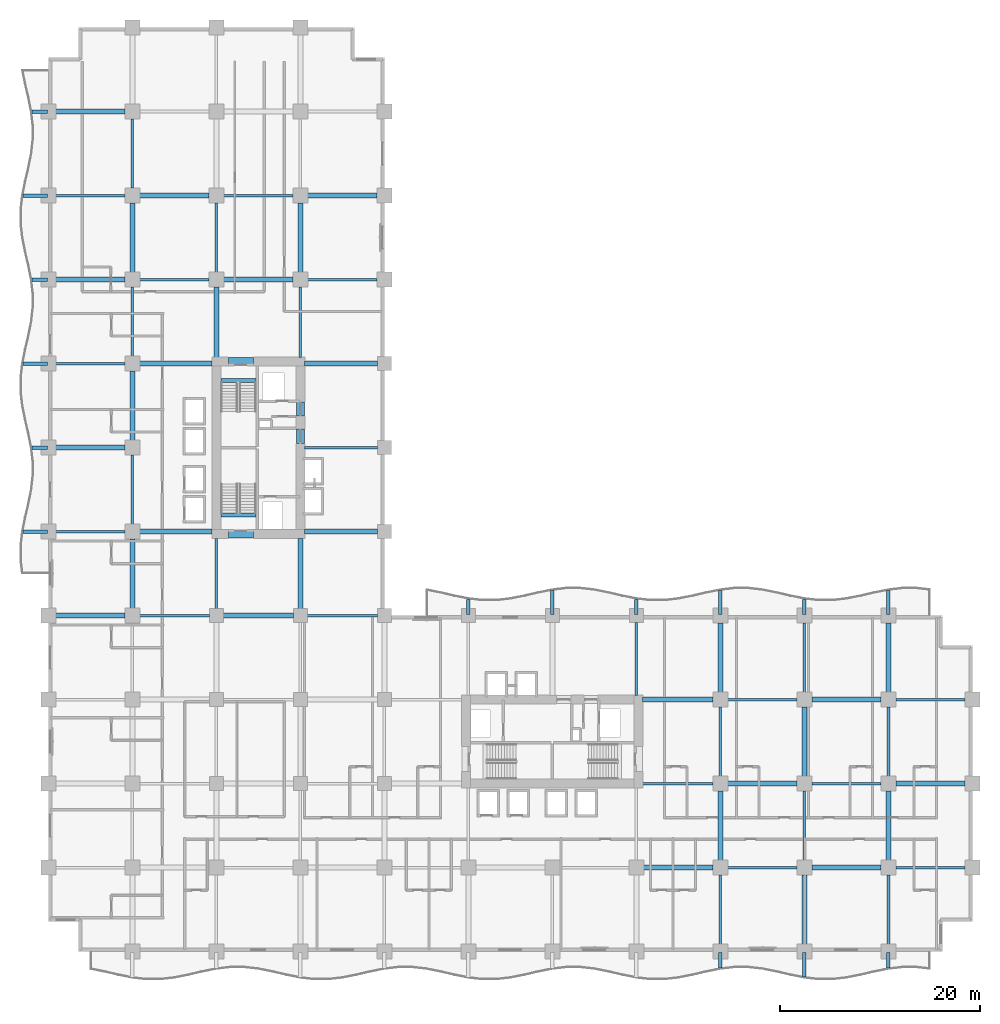
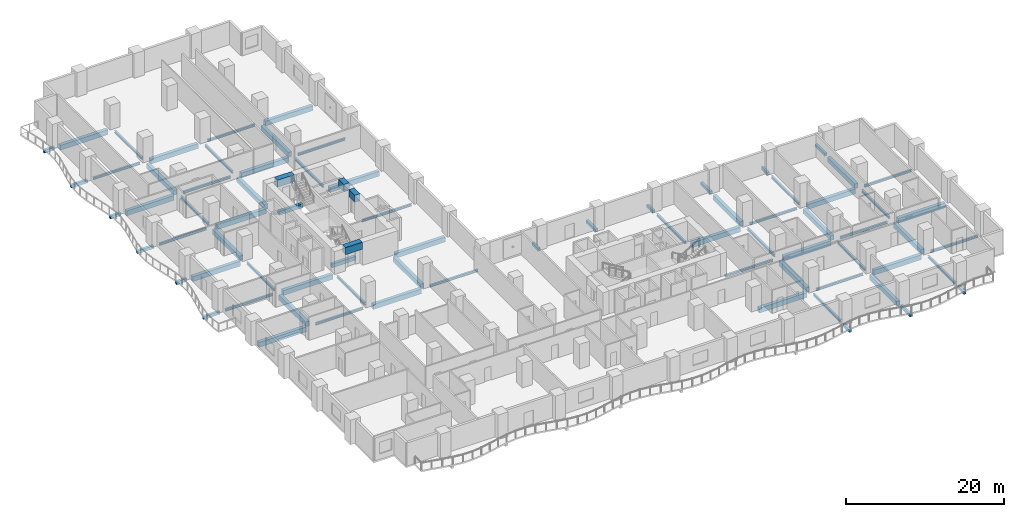
# One storey, part 2 of 22: 79 beams.
"""IFC4 building model written with IfcOpenShell, lengths in metres."""

from ifc_helpers import new_model, si_unit, direction, frame, origin, origin_2d, place, context, subcontext, project, spatial, rectangle, i_section, extrude, material, material_profile, profile_set, type_object, element, save


model = new_model("IFC4")

# Units and contexts
model_context = context("Model", 3, precision=1e-05, world=origin(), true_north=direction((0.0, 1.0)))
body_context = subcontext(model_context, "Body", "Model", "MODEL_VIEW")
ifc_project = project(units=[si_unit("LENGTHUNIT", "METRE"), si_unit("AREAUNIT", "SQUARE_METRE"), si_unit("VOLUMEUNIT", "CUBIC_METRE"), si_unit("PLANEANGLEUNIT", "RADIAN"), si_unit("MASSUNIT", "GRAM", prefix="KILO")], contexts=[model_context])

# Site, building, storey
site_placement = place(None, origin())
site = spatial("IfcSite", under=ifc_project, at=site_placement, CompositionType="ELEMENT")
building_placement = place(site_placement, origin())
building = spatial("IfcBuilding", under=site, at=building_placement, Name="Koriwani Terraces Tower", CompositionType="ELEMENT")
storey_placement = place(building_placement, frame((0.0, 0.0, 43.39990234375)))
storey = spatial("IfcBuildingStorey", under=building, at=storey_placement, Name="L09", CompositionType="ELEMENT", Elevation=43.39990234375)

# Beams
ifc_material_1 = material(Name="Concrete C40/50", Category="concrete")
ifc_material_profile_1 = material_profile(ifc_material_1, rectangle(XDim=0.35009765625, YDim=0.449951171875, at=origin_2d()), Name="Concrete C40/50", Category="LoadBearing")
ifc_profile_set_1 = profile_set([ifc_material_profile_1], Name="Concrete C40/50")
beam_type_1 = type_object("IfcBeamType", Name="BEAM_RC_BALCONY_RIB_350X450", PredefinedType="JOIST", material=ifc_profile_set_1)
beam_1_placement = place(storey_placement, frame((67.199951171875, -1.633056640625, -0.474853515625), z_axis=(0.0, 1.0, 0.0), x_axis=(-1.0, 0.0, 0.0)))
element("IfcBeam", 1, at=beam_1_placement, inside=storey, type_object=beam_type_1, Name="L09 Balcony Bracket Rib S-8", PredefinedType="JOIST", context=body_context, shape_type="SweptSolid", body=[
    extrude(rectangle(XDim=0.35009765625, YDim=0.449951171875, at=origin_2d()), origin(), (0.0, 0.0, 1.0), 1.532958984375),
])
beam_2_placement = place(storey_placement, frame((75.60009765625, -2.516845703125, -0.474853515625), z_axis=(0.0, 1.0, 0.0), x_axis=(-1.0, 0.0, 0.0)))
element("IfcBeam", 2, at=beam_2_placement, inside=storey, type_object=beam_type_1, Name="L09 Balcony Bracket Rib S-9", PredefinedType="JOIST", context=body_context, shape_type="SweptSolid", body=[
    extrude(rectangle(XDim=0.35009765625, YDim=0.449951171875, at=origin_2d()), origin(), (0.0, 0.0, 1.0), 2.416748046875),
])
beam_3_placement = place(storey_placement, frame((84.0, -1.633056640625, -0.474853515625), z_axis=(0.0, 1.0, 0.0), x_axis=(-1.0, 0.0, 0.0)))
element("IfcBeam", 3, at=beam_3_placement, inside=storey, type_object=beam_type_1, Name="L09 Balcony Bracket Rib S-10", PredefinedType="JOIST", context=body_context, shape_type="SweptSolid", body=[
    extrude(rectangle(XDim=0.35009765625, YDim=0.449951171875, at=origin_2d()), origin(), (0.0, 0.0, 1.0), 1.532958984375),
])
beam_4_placement = place(storey_placement, frame((-2.516845703125, 42.0, -0.474853515625), z_axis=(1.0, 0.0, 0.0), x_axis=(0.0, 1.0, 0.0)))
element("IfcBeam", 4, at=beam_4_placement, inside=storey, type_object=beam_type_1, Name="L09 Balcony Bracket Rib W-1", PredefinedType="JOIST", context=body_context, shape_type="SweptSolid", body=[
    extrude(rectangle(XDim=0.35009765625, YDim=0.449951171875, at=origin_2d()), origin(), (0.0, 0.0, 1.0), 2.416748046875),
])
beam_5_placement = place(storey_placement, frame((-1.633056640625, 50.39990234375, -0.474853515625), z_axis=(1.0, 0.0, 0.0), x_axis=(0.0, 1.0, 0.0)))
element("IfcBeam", 5, at=beam_5_placement, inside=storey, type_object=beam_type_1, Name="L09 Balcony Bracket Rib W-2", PredefinedType="JOIST", context=body_context, shape_type="SweptSolid", body=[
    extrude(rectangle(XDim=0.35009765625, YDim=0.449951171875, at=origin_2d()), origin(), (0.0, 0.0, 1.0), 1.532958984375),
])
beam_6_placement = place(storey_placement, frame((-2.516845703125, 58.800048828125, -0.474853515625), z_axis=(1.0, 0.0, 0.0), x_axis=(0.0, 1.0, 0.0)))
element("IfcBeam", 6, at=beam_6_placement, inside=storey, type_object=beam_type_1, Name="L09 Balcony Bracket Rib W-3", PredefinedType="JOIST", context=body_context, shape_type="SweptSolid", body=[
    extrude(rectangle(XDim=0.35009765625, YDim=0.449951171875, at=origin_2d()), origin(), (0.0, 0.0, 1.0), 2.416748046875),
])
beam_7_placement = place(storey_placement, frame((-1.633056640625, 67.199951171875, -0.474853515625), z_axis=(1.0, 0.0, 0.0), x_axis=(0.0, 1.0, 0.0)))
element("IfcBeam", 7, at=beam_7_placement, inside=storey, type_object=beam_type_1, Name="L09 Balcony Bracket Rib W-4", PredefinedType="JOIST", context=body_context, shape_type="SweptSolid", body=[
    extrude(rectangle(XDim=0.35009765625, YDim=0.449951171875, at=origin_2d()), origin(), (0.0, 0.0, 1.0), 1.532958984375),
])
beam_8_placement = place(storey_placement, frame((-2.516845703125, 75.60009765625, -0.474853515625), z_axis=(1.0, 0.0, 0.0), x_axis=(0.0, 1.0, 0.0)))
element("IfcBeam", 8, at=beam_8_placement, inside=storey, type_object=beam_type_1, Name="L09 Balcony Bracket Rib W-5", PredefinedType="JOIST", context=body_context, shape_type="SweptSolid", body=[
    extrude(rectangle(XDim=0.35009765625, YDim=0.449951171875, at=origin_2d()), origin(), (0.0, 0.0, 1.0), 2.416748046875),
])
beam_9_placement = place(storey_placement, frame((-1.633056640625, 84.0, -0.474853515625), z_axis=(1.0, 0.0, 0.0), x_axis=(0.0, 1.0, 0.0)))
element("IfcBeam", 9, at=beam_9_placement, inside=storey, type_object=beam_type_1, Name="L09 Balcony Bracket Rib W-6", PredefinedType="JOIST", context=body_context, shape_type="SweptSolid", body=[
    extrude(rectangle(XDim=0.35009765625, YDim=0.449951171875, at=origin_2d()), origin(), (0.0, 0.0, 1.0), 1.532958984375),
])
beam_10_placement = place(storey_placement, frame((42.0, 33.699951171875, -0.474853515625), z_axis=(0.0, 1.0, 0.0), x_axis=(-1.0, 0.0, 0.0)))
element("IfcBeam", 10, at=beam_10_placement, inside=storey, type_object=beam_type_1, Name="L09 Balcony Bracket Rib NE-1", PredefinedType="JOIST", context=body_context, shape_type="SweptSolid", body=[
    extrude(rectangle(XDim=0.35009765625, YDim=0.449951171875, at=origin_2d()), origin(), (0.0, 0.0, 1.0), 1.533203125),
])
beam_11_placement = place(storey_placement, frame((50.39990234375, 33.699951171875, -0.474853515625), z_axis=(0.0, 1.0, 0.0), x_axis=(-1.0, 0.0, 0.0)))
element("IfcBeam", 11, at=beam_11_placement, inside=storey, type_object=beam_type_1, Name="L09 Balcony Bracket Rib NE-2", PredefinedType="JOIST", context=body_context, shape_type="SweptSolid", body=[
    extrude(rectangle(XDim=0.35009765625, YDim=0.449951171875, at=origin_2d()), origin(), (0.0, 0.0, 1.0), 2.4169921875),
])
beam_12_placement = place(storey_placement, frame((58.800048828125, 33.699951171875, -0.474853515625), z_axis=(0.0, 1.0, 0.0), x_axis=(-1.0, 0.0, 0.0)))
element("IfcBeam", 12, at=beam_12_placement, inside=storey, type_object=beam_type_1, Name="L09 Balcony Bracket Rib NE-3", PredefinedType="JOIST", context=body_context, shape_type="SweptSolid", body=[
    extrude(rectangle(XDim=0.35009765625, YDim=0.449951171875, at=origin_2d()), origin(), (0.0, 0.0, 1.0), 1.533203125),
])
beam_13_placement = place(storey_placement, frame((67.199951171875, 33.699951171875, -0.474853515625), z_axis=(0.0, 1.0, 0.0), x_axis=(-1.0, 0.0, 0.0)))
element("IfcBeam", 13, at=beam_13_placement, inside=storey, type_object=beam_type_1, Name="L09 Balcony Bracket Rib NE-4", PredefinedType="JOIST", context=body_context, shape_type="SweptSolid", body=[
    extrude(rectangle(XDim=0.35009765625, YDim=0.449951171875, at=origin_2d()), origin(), (0.0, 0.0, 1.0), 2.4169921875),
])
beam_14_placement = place(storey_placement, frame((75.60009765625, 33.699951171875, -0.474853515625), z_axis=(0.0, 1.0, 0.0), x_axis=(-1.0, 0.0, 0.0)))
element("IfcBeam", 14, at=beam_14_placement, inside=storey, type_object=beam_type_1, Name="L09 Balcony Bracket Rib NE-5", PredefinedType="JOIST", context=body_context, shape_type="SweptSolid", body=[
    extrude(rectangle(XDim=0.35009765625, YDim=0.449951171875, at=origin_2d()), origin(), (0.0, 0.0, 1.0), 1.533203125),
])
beam_15_placement = place(storey_placement, frame((84.0, 33.699951171875, -0.474853515625), z_axis=(0.0, 1.0, 0.0), x_axis=(-1.0, 0.0, 0.0)))
element("IfcBeam", 15, at=beam_15_placement, inside=storey, type_object=beam_type_1, Name="L09 Balcony Bracket Rib NE-6", PredefinedType="JOIST", context=body_context, shape_type="SweptSolid", body=[
    extrude(rectangle(XDim=0.35009765625, YDim=0.449951171875, at=origin_2d()), origin(), (0.0, 0.0, 1.0), 2.4169921875),
])
ifc_material_2 = material(Name="Concrete C60/75", Category="concrete")
ifc_material_profile_2 = material_profile(ifc_material_2, rectangle(XDim=0.800048828125, YDim=1.10009765625, at=origin_2d()), Name="Concrete C60/75", Category="LoadBearing")
ifc_profile_set_2 = profile_set([ifc_material_profile_2], Name="Concrete C60/75")
beam_type_2 = type_object("IfcBeamType", Name="BEAM_RC_COUPLING_800X1100", PredefinedType="LINTEL", material=ifc_profile_set_2)
beam_16_placement = place(storey_placement, frame((25.199951171875, 50.800048828125, 3.0), z_axis=(0.0, 1.0, 0.0), x_axis=(-1.0, 0.0, 0.0)))
element("IfcBeam", 16, at=beam_16_placement, inside=storey, type_object=beam_type_2, Name="L09 Core Coupling Lintel Beam WE1", PredefinedType="LINTEL", context=body_context, shape_type="SweptSolid", body=[
    extrude(rectangle(XDim=0.800048828125, YDim=1.10009765625, at=origin_2d()), origin(), (0.0, 0.0, 1.0), 1.47998046875),
])
beam_17_placement = place(storey_placement, frame((25.199951171875, 53.550048828125, 3.0), z_axis=(0.0, 1.0, 0.0), x_axis=(-1.0, 0.0, 0.0)))
element("IfcBeam", 17, at=beam_17_placement, inside=storey, type_object=beam_type_2, Name="L09 Core Coupling Lintel Beam WE2", PredefinedType="LINTEL", context=body_context, shape_type="SweptSolid", body=[
    extrude(rectangle(XDim=0.800048828125, YDim=1.10009765625, at=origin_2d()), origin(), (0.0, 0.0, 1.0), 1.39990234375),
])
for number, where, z_axis, x_axis, name in (
    (18, (18.0, 41.75, 3.0), (1.0, 0.0, 0.0), (0.0, 1.0, 0.0), "L09 Core Coupling Lintel Beam WS"),
    (19, (18.0, 59.0, 3.0), (1.0, 0.0, 0.0), (0.0, 1.0, 0.0), "L09 Core Coupling Lintel Beam WN"),
):
    element("IfcBeam", number, at=place(storey_placement, frame(where, z_axis=z_axis, x_axis=x_axis)), inside=storey, type_object=beam_type_2, Name=name, PredefinedType="LINTEL", context=body_context, shape_type="SweptSolid", body=[
        extrude(rectangle(XDim=0.800048828125, YDim=1.10009765625, at=origin_2d()), origin(), (0.0, 0.0, 1.0), 2.5),
    ])
ifc_material_profile_3 = material_profile(ifc_material_1, rectangle(XDim=0.39990234375, YDim=0.60009765625, at=origin_2d()), Name="Concrete C40/50", Category="LoadBearing")
ifc_profile_set_3 = profile_set([ifc_material_profile_3], Name="Concrete C40/50")
beam_type_3 = type_object("IfcBeamType", Name="BEAM_RC_GRID_400X600", PredefinedType="BEAM", material=ifc_profile_set_3)
for number, where, z_axis, x_axis, name in (
    (20, (17.25, 43.655029296875, -0.2998046875), (1.0, 0.0, 0.0), (0.0, 1.0, 0.0), "L09 Stairwell Header Trimmer Beam ST-W1"),
    (21, (17.25, 57.094970703125, -0.2998046875), (1.0, 0.0, 0.0), (0.0, 1.0, 0.0), "L09 Stairwell Header Trimmer Beam ST-W2"),
):
    element("IfcBeam", number, at=place(storey_placement, frame(where, z_axis=z_axis, x_axis=x_axis)), inside=storey, type_object=beam_type_3, Name=name, PredefinedType="BEAM", context=body_context, shape_type="SweptSolid", body=[
        extrude(rectangle(XDim=0.39990234375, YDim=0.60009765625, at=origin_2d()), origin(), (0.0, 0.0, 1.0), 3.5),
    ])
ifc_material_3 = material(Name="Concrete C50/60", Category="concrete")
ifc_material_profile_4 = material_profile(ifc_material_3, rectangle(XDim=0.5, YDim=0.75, at=origin_2d()), Name="Concrete C50/60", Category="LoadBearing")
ifc_profile_set_4 = profile_set([ifc_material_profile_4], Name="Concrete C50/60")
beam_type_4 = type_object("IfcBeamType", Name="BEAM_RC_GRID_500X750", PredefinedType="BEAM", material=ifc_profile_set_4)
for number, where, z_axis, x_axis, name in (
    (22, (59.530029296875, 8.39990234375, -0.625), (1.0, 0.0, 0.0), (0.0, 1.0, 0.0), "L09 Grid Beam B (58.8-67.2m)"),
    (23, (76.330078125, 8.39990234375, -0.625), (1.0, 0.0, 0.0), (0.0, 1.0, 0.0), "L09 Grid Beam B (75.6-84.0m)"),
):
    element("IfcBeam", number, at=place(storey_placement, frame(where, z_axis=z_axis, x_axis=x_axis)), inside=storey, type_object=beam_type_4, Name=name, PredefinedType="BEAM", context=body_context, shape_type="SweptSolid", body=[
        extrude(rectangle(XDim=0.5, YDim=0.75, at=origin_2d()), origin(), (0.0, 0.0, 1.0), 6.93994140625),
    ])
beam_18_placement = place(storey_placement, frame((67.929931640625, 16.800048828125, -0.625), z_axis=(1.0, 0.0, 0.0), x_axis=(0.0, 1.0, 0.0)))
element("IfcBeam", 24, at=beam_18_placement, inside=storey, type_object=beam_type_4, Name="L09 Grid Beam C (67.2-75.6m)", PredefinedType="BEAM", context=body_context, shape_type="SweptSolid", body=[
    extrude(rectangle(XDim=0.5, YDim=0.75, at=origin_2d()), origin(), (0.0, 0.0, 1.0), 6.940185546875),
])
beam_19_placement = place(storey_placement, frame((84.72998046875, 16.800048828125, -0.625), z_axis=(1.0, 0.0, 0.0), x_axis=(0.0, 1.0, 0.0)))
element("IfcBeam", 25, at=beam_19_placement, inside=storey, type_object=beam_type_4, Name="L09 Grid Beam C (84.0-92.4m)", PredefinedType="BEAM", context=body_context, shape_type="SweptSolid", body=[
    extrude(rectangle(XDim=0.5, YDim=0.75, at=origin_2d()), origin(), (0.0, 0.0, 1.0), 6.93994140625),
])
beam_20_placement = place(storey_placement, frame((59.429931640625, 25.199951171875, -0.625), z_axis=(1.0, 0.0, 0.0), x_axis=(0.0, 1.0, 0.0)))
element("IfcBeam", 26, at=beam_20_placement, inside=storey, type_object=beam_type_4, Name="L09 Grid Beam D (58.8-67.2m)", PredefinedType="BEAM", context=body_context, shape_type="SweptSolid", body=[
    extrude(rectangle(XDim=0.5, YDim=0.75, at=origin_2d()), origin(), (0.0, 0.0, 1.0), 7.0400390625),
])
for number, where, z_axis, x_axis, name in (
    (27, (76.330078125, 25.199951171875, -0.625), (1.0, 0.0, 0.0), (0.0, 1.0, 0.0), "L09 Grid Beam D (75.6-84.0m)"),
    (28, (0.72998046875, 33.60009765625, -0.625), (1.0, 0.0, 0.0), (0.0, 1.0, 0.0), "L09 Grid Beam E (0.0-8.4m)"),
):
    element("IfcBeam", number, at=place(storey_placement, frame(where, z_axis=z_axis, x_axis=x_axis)), inside=storey, type_object=beam_type_4, Name=name, PredefinedType="BEAM", context=body_context, shape_type="SweptSolid", body=[
        extrude(rectangle(XDim=0.5, YDim=0.75, at=origin_2d()), origin(), (0.0, 0.0, 1.0), 6.93994140625),
    ])
beam_21_placement = place(storey_placement, frame((17.47998046875, 33.60009765625, -0.625), z_axis=(1.0, 0.0, 0.0), x_axis=(0.0, 1.0, 0.0)))
element("IfcBeam", 29, at=beam_21_placement, inside=storey, type_object=beam_type_4, Name="L09 Grid Beam E (16.8-25.2m)", PredefinedType="BEAM", context=body_context, shape_type="SweptSolid", body=[
    extrude(rectangle(XDim=0.5, YDim=0.75, at=origin_2d()), origin(), (0.0, 0.0, 1.0), 7.0400390625),
])
beam_22_placement = place(storey_placement, frame((9.1298828125, 42.0, -0.625), z_axis=(1.0, 0.0, 0.0), x_axis=(0.0, 1.0, 0.0)))
element("IfcBeam", 30, at=beam_22_placement, inside=storey, type_object=beam_type_4, Name="L09 Grid Beam F (8.4-16.8m)", PredefinedType="BEAM", context=body_context, shape_type="SweptSolid", body=[
    extrude(rectangle(XDim=0.5, YDim=0.75, at=origin_2d()), origin(), (0.0, 0.0, 1.0), 7.240234375),
])
beam_23_placement = place(storey_placement, frame((25.6298828125, 42.0, -0.625), z_axis=(1.0, 0.0, 0.0), x_axis=(0.0, 1.0, 0.0)))
element("IfcBeam", 31, at=beam_23_placement, inside=storey, type_object=beam_type_4, Name="L09 Grid Beam F (25.2-33.6m)", PredefinedType="BEAM", context=body_context, shape_type="SweptSolid", body=[
    extrude(rectangle(XDim=0.5, YDim=0.75, at=origin_2d()), origin(), (0.0, 0.0, 1.0), 7.2900390625),
])
beam_24_placement = place(storey_placement, frame((0.72998046875, 50.39990234375, -0.625), z_axis=(1.0, 0.0, 0.0), x_axis=(0.0, 1.0, 0.0)))
element("IfcBeam", 32, at=beam_24_placement, inside=storey, type_object=beam_type_4, Name="L09 Grid Beam G (0.0-8.4m)", PredefinedType="BEAM", context=body_context, shape_type="SweptSolid", body=[
    extrude(rectangle(XDim=0.5, YDim=0.75, at=origin_2d()), origin(), (0.0, 0.0, 1.0), 6.93994140625),
])
beam_25_placement = place(storey_placement, frame((9.1298828125, 58.800048828125, -0.625), z_axis=(1.0, 0.0, 0.0), x_axis=(0.0, 1.0, 0.0)))
element("IfcBeam", 33, at=beam_25_placement, inside=storey, type_object=beam_type_4, Name="L09 Grid Beam H (8.4-16.8m)", PredefinedType="BEAM", context=body_context, shape_type="SweptSolid", body=[
    extrude(rectangle(XDim=0.5, YDim=0.75, at=origin_2d()), origin(), (0.0, 0.0, 1.0), 7.240234375),
])
beam_26_placement = place(storey_placement, frame((25.6298828125, 58.800048828125, -0.625), z_axis=(1.0, 0.0, 0.0), x_axis=(0.0, 1.0, 0.0)))
element("IfcBeam", 34, at=beam_26_placement, inside=storey, type_object=beam_type_4, Name="L09 Grid Beam H (25.2-33.6m)", PredefinedType="BEAM", context=body_context, shape_type="SweptSolid", body=[
    extrude(rectangle(XDim=0.5, YDim=0.75, at=origin_2d()), origin(), (0.0, 0.0, 1.0), 7.2900390625),
])
for number, where, z_axis, x_axis, name in (
    (35, (0.72998046875, 67.199951171875, -0.625), (1.0, 0.0, 0.0), (0.0, 1.0, 0.0), "L09 Grid Beam I (0.0-8.4m)"),
    (36, (17.530029296875, 67.199951171875, -0.625), (1.0, 0.0, 0.0), (0.0, 1.0, 0.0), "L09 Grid Beam I (16.8-25.2m)"),
):
    element("IfcBeam", number, at=place(storey_placement, frame(where, z_axis=z_axis, x_axis=x_axis)), inside=storey, type_object=beam_type_4, Name=name, PredefinedType="BEAM", context=body_context, shape_type="SweptSolid", body=[
        extrude(rectangle(XDim=0.5, YDim=0.75, at=origin_2d()), origin(), (0.0, 0.0, 1.0), 6.93994140625),
    ])
for number, where, z_axis, x_axis, name in (
    (37, (9.1298828125, 75.60009765625, -0.625), (1.0, 0.0, 0.0), (0.0, 1.0, 0.0), "L09 Grid Beam J (8.4-16.8m)"),
    (38, (25.929931640625, 75.60009765625, -0.625), (1.0, 0.0, 0.0), (0.0, 1.0, 0.0), "L09 Grid Beam J (25.2-33.6m)"),
):
    element("IfcBeam", number, at=place(storey_placement, frame(where, z_axis=z_axis, x_axis=x_axis)), inside=storey, type_object=beam_type_4, Name=name, PredefinedType="BEAM", context=body_context, shape_type="SweptSolid", body=[
        extrude(rectangle(XDim=0.5, YDim=0.75, at=origin_2d()), origin(), (0.0, 0.0, 1.0), 6.940185546875),
    ])
for number, where, z_axis, x_axis, name in (
    (39, (0.72998046875, 84.0, -0.625), (1.0, 0.0, 0.0), (0.0, 1.0, 0.0), "L09 Grid Beam K (0.0-8.4m)"),
    (40, (8.39990234375, 34.330078125, -0.625), (0.0, 1.0, 0.0), (-1.0, 0.0, 0.0), "L09 Grid Beam 2 (33.6-42.0m)"),
):
    element("IfcBeam", number, at=place(storey_placement, frame(where, z_axis=z_axis, x_axis=x_axis)), inside=storey, type_object=beam_type_4, Name=name, PredefinedType="BEAM", context=body_context, shape_type="SweptSolid", body=[
        extrude(rectangle(XDim=0.5, YDim=0.75, at=origin_2d()), origin(), (0.0, 0.0, 1.0), 6.93994140625),
    ])
for number, where, z_axis, x_axis, name in (
    (41, (8.39990234375, 51.1298828125, -0.625), (0.0, 1.0, 0.0), (-1.0, 0.0, 0.0), "L09 Grid Beam 2 (50.4-58.8m)"),
    (42, (8.39990234375, 67.929931640625, -0.625), (0.0, 1.0, 0.0), (-1.0, 0.0, 0.0), "L09 Grid Beam 2 (67.2-75.6m)"),
):
    element("IfcBeam", number, at=place(storey_placement, frame(where, z_axis=z_axis, x_axis=x_axis)), inside=storey, type_object=beam_type_4, Name=name, PredefinedType="BEAM", context=body_context, shape_type="SweptSolid", body=[
        extrude(rectangle(XDim=0.5, YDim=0.75, at=origin_2d()), origin(), (0.0, 0.0, 1.0), 6.940185546875),
    ])
for number, where, z_axis, x_axis, name in (
    (43, (16.800048828125, 59.429931640625, -0.625), (0.0, 1.0, 0.0), (-1.0, 0.0, 0.0), "L09 Grid Beam 3 (58.8-67.2m)"),
    (44, (25.199951171875, 34.280029296875, -0.625), (0.0, 1.0, 0.0), (-1.0, 0.0, 0.0), "L09 Grid Beam 4 (33.6-42.0m)"),
):
    element("IfcBeam", number, at=place(storey_placement, frame(where, z_axis=z_axis, x_axis=x_axis)), inside=storey, type_object=beam_type_4, Name=name, PredefinedType="BEAM", context=body_context, shape_type="SweptSolid", body=[
        extrude(rectangle(XDim=0.5, YDim=0.75, at=origin_2d()), origin(), (0.0, 0.0, 1.0), 7.0400390625),
    ])
for number, where, z_axis, x_axis, name in (
    (45, (25.199951171875, 67.929931640625, -0.625), (0.0, 1.0, 0.0), (-1.0, 0.0, 0.0), "L09 Grid Beam 4 (67.2-75.6m)"),
    (46, (67.199951171875, 9.1298828125, -0.625), (0.0, 1.0, 0.0), (-1.0, 0.0, 0.0), "L09 Grid Beam 9 (8.4-16.8m)"),
    (47, (67.199951171875, 25.929931640625, -0.625), (0.0, 1.0, 0.0), (-1.0, 0.0, 0.0), "L09 Grid Beam 9 (25.2-33.6m)"),
):
    element("IfcBeam", number, at=place(storey_placement, frame(where, z_axis=z_axis, x_axis=x_axis)), inside=storey, type_object=beam_type_4, Name=name, PredefinedType="BEAM", context=body_context, shape_type="SweptSolid", body=[
        extrude(rectangle(XDim=0.5, YDim=0.75, at=origin_2d()), origin(), (0.0, 0.0, 1.0), 6.940185546875),
    ])
for number, where, z_axis, x_axis, name in (
    (48, (75.60009765625, 0.72998046875, -0.625), (0.0, 1.0, 0.0), (-1.0, 0.0, 0.0), "L09 Grid Beam 10 (0.0-8.4m)"),
    (49, (75.60009765625, 17.530029296875, -0.625), (0.0, 1.0, 0.0), (-1.0, 0.0, 0.0), "L09 Grid Beam 10 (16.8-25.2m)"),
):
    element("IfcBeam", number, at=place(storey_placement, frame(where, z_axis=z_axis, x_axis=x_axis)), inside=storey, type_object=beam_type_4, Name=name, PredefinedType="BEAM", context=body_context, shape_type="SweptSolid", body=[
        extrude(rectangle(XDim=0.5, YDim=0.75, at=origin_2d()), origin(), (0.0, 0.0, 1.0), 6.93994140625),
    ])
for number, where, z_axis, x_axis, name in (
    (50, (84.0, 9.1298828125, -0.625), (0.0, 1.0, 0.0), (-1.0, 0.0, 0.0), "L09 Grid Beam 11 (8.4-16.8m)"),
    (51, (84.0, 25.929931640625, -0.625), (0.0, 1.0, 0.0), (-1.0, 0.0, 0.0), "L09 Grid Beam 11 (25.2-33.6m)"),
):
    element("IfcBeam", number, at=place(storey_placement, frame(where, z_axis=z_axis, x_axis=x_axis)), inside=storey, type_object=beam_type_4, Name=name, PredefinedType="BEAM", context=body_context, shape_type="SweptSolid", body=[
        extrude(rectangle(XDim=0.5, YDim=0.75, at=origin_2d()), origin(), (0.0, 0.0, 1.0), 6.940185546875),
    ])
ifc_material_4 = material(Name="Steel ASTM A572 Grade 50", Category="steel")
ifc_material_profile_5 = material_profile(ifc_material_4, i_section(OverallWidth=0.257080078125, OverallDepth=0.363037109375, WebThickness=0.012939453125, FlangeThickness=0.021728515625, at=origin_2d()), Name="Steel ASTM A572 Grade 50", Category="LoadBearing")
ifc_profile_set_5 = profile_set([ifc_material_profile_5], Name="Steel ASTM A572 Grade 50")
beam_type_5 = type_object("IfcBeamType", Name="STEEL_BEAM_W360X122", PredefinedType="JOIST", material=ifc_profile_set_5)
beam_27_placement = place(storey_placement, frame((67.929931640625, 8.39990234375, -0.431396484375), z_axis=(1.0, 0.0, 0.0), x_axis=(0.0, 1.0, 0.0)))
element("IfcBeam", 52, at=beam_27_placement, inside=storey, type_object=beam_type_5, Name="L09 Grid Beam B (67.2-75.6m)", PredefinedType="JOIST", context=body_context, shape_type="SweptSolid", body=[
    extrude(i_section(OverallWidth=0.257080078125, OverallDepth=0.363037109375, WebThickness=0.012939453125, FlangeThickness=0.021728515625, at=origin_2d()), origin(), (0.0, 0.0, 1.0), 6.940185546875),
])
beam_28_placement = place(storey_placement, frame((84.72998046875, 8.39990234375, -0.431396484375), z_axis=(1.0, 0.0, 0.0), x_axis=(0.0, 1.0, 0.0)))
element("IfcBeam", 53, at=beam_28_placement, inside=storey, type_object=beam_type_5, Name="L09 Grid Beam B (84.0-92.4m)", PredefinedType="JOIST", context=body_context, shape_type="SweptSolid", body=[
    extrude(i_section(OverallWidth=0.257080078125, OverallDepth=0.363037109375, WebThickness=0.012939453125, FlangeThickness=0.021728515625, at=origin_2d()), origin(), (0.0, 0.0, 1.0), 6.93994140625),
])
beam_29_placement = place(storey_placement, frame((59.429931640625, 16.800048828125, -0.431396484375), z_axis=(1.0, 0.0, 0.0), x_axis=(0.0, 1.0, 0.0)))
element("IfcBeam", 54, at=beam_29_placement, inside=storey, type_object=beam_type_5, Name="L09 Grid Beam C (58.8-67.2m)", PredefinedType="JOIST", context=body_context, shape_type="SweptSolid", body=[
    extrude(i_section(OverallWidth=0.257080078125, OverallDepth=0.363037109375, WebThickness=0.012939453125, FlangeThickness=0.021728515625, at=origin_2d()), origin(), (0.0, 0.0, 1.0), 7.0400390625),
])
beam_30_placement = place(storey_placement, frame((76.330078125, 16.800048828125, -0.431396484375), z_axis=(1.0, 0.0, 0.0), x_axis=(0.0, 1.0, 0.0)))
element("IfcBeam", 55, at=beam_30_placement, inside=storey, type_object=beam_type_5, Name="L09 Grid Beam C (75.6-84.0m)", PredefinedType="JOIST", context=body_context, shape_type="SweptSolid", body=[
    extrude(i_section(OverallWidth=0.257080078125, OverallDepth=0.363037109375, WebThickness=0.012939453125, FlangeThickness=0.021728515625, at=origin_2d()), origin(), (0.0, 0.0, 1.0), 6.93994140625),
])
beam_31_placement = place(storey_placement, frame((67.929931640625, 25.199951171875, -0.431396484375), z_axis=(1.0, 0.0, 0.0), x_axis=(0.0, 1.0, 0.0)))
element("IfcBeam", 56, at=beam_31_placement, inside=storey, type_object=beam_type_5, Name="L09 Grid Beam D (67.2-75.6m)", PredefinedType="JOIST", context=body_context, shape_type="SweptSolid", body=[
    extrude(i_section(OverallWidth=0.257080078125, OverallDepth=0.363037109375, WebThickness=0.012939453125, FlangeThickness=0.021728515625, at=origin_2d()), origin(), (0.0, 0.0, 1.0), 6.940185546875),
])
beam_32_placement = place(storey_placement, frame((84.72998046875, 25.199951171875, -0.431396484375), z_axis=(1.0, 0.0, 0.0), x_axis=(0.0, 1.0, 0.0)))
element("IfcBeam", 57, at=beam_32_placement, inside=storey, type_object=beam_type_5, Name="L09 Grid Beam D (84.0-92.4m)", PredefinedType="JOIST", context=body_context, shape_type="SweptSolid", body=[
    extrude(i_section(OverallWidth=0.257080078125, OverallDepth=0.363037109375, WebThickness=0.012939453125, FlangeThickness=0.021728515625, at=origin_2d()), origin(), (0.0, 0.0, 1.0), 6.93994140625),
])
beam_33_placement = place(storey_placement, frame((9.1298828125, 33.60009765625, -0.431396484375), z_axis=(1.0, 0.0, 0.0), x_axis=(0.0, 1.0, 0.0)))
element("IfcBeam", 58, at=beam_33_placement, inside=storey, type_object=beam_type_5, Name="L09 Grid Beam E (8.4-16.8m)", PredefinedType="JOIST", context=body_context, shape_type="SweptSolid", body=[
    extrude(i_section(OverallWidth=0.257080078125, OverallDepth=0.363037109375, WebThickness=0.012939453125, FlangeThickness=0.021728515625, at=origin_2d()), origin(), (0.0, 0.0, 1.0), 6.990234375),
])
beam_34_placement = place(storey_placement, frame((25.8798828125, 33.60009765625, -0.431396484375), z_axis=(1.0, 0.0, 0.0), x_axis=(0.0, 1.0, 0.0)))
element("IfcBeam", 59, at=beam_34_placement, inside=storey, type_object=beam_type_5, Name="L09 Grid Beam E (25.2-33.6m)", PredefinedType="JOIST", context=body_context, shape_type="SweptSolid", body=[
    extrude(i_section(OverallWidth=0.257080078125, OverallDepth=0.363037109375, WebThickness=0.012939453125, FlangeThickness=0.021728515625, at=origin_2d()), origin(), (0.0, 0.0, 1.0), 7.0400390625),
])
beam_35_placement = place(storey_placement, frame((0.72998046875, 42.0, -0.431396484375), z_axis=(1.0, 0.0, 0.0), x_axis=(0.0, 1.0, 0.0)))
element("IfcBeam", 60, at=beam_35_placement, inside=storey, type_object=beam_type_5, Name="L09 Grid Beam F (0.0-8.4m)", PredefinedType="JOIST", context=body_context, shape_type="SweptSolid", body=[
    extrude(i_section(OverallWidth=0.257080078125, OverallDepth=0.363037109375, WebThickness=0.012939453125, FlangeThickness=0.021728515625, at=origin_2d()), origin(), (0.0, 0.0, 1.0), 6.93994140625),
])
beam_36_placement = place(storey_placement, frame((25.6298828125, 50.39990234375, -0.431396484375), z_axis=(1.0, 0.0, 0.0), x_axis=(0.0, 1.0, 0.0)))
element("IfcBeam", 61, at=beam_36_placement, inside=storey, type_object=beam_type_5, Name="L09 Grid Beam G (25.2-33.6m)", PredefinedType="JOIST", context=body_context, shape_type="SweptSolid", body=[
    extrude(i_section(OverallWidth=0.257080078125, OverallDepth=0.363037109375, WebThickness=0.012939453125, FlangeThickness=0.021728515625, at=origin_2d()), origin(), (0.0, 0.0, 1.0), 7.2900390625),
])
beam_37_placement = place(storey_placement, frame((0.72998046875, 58.800048828125, -0.431396484375), z_axis=(1.0, 0.0, 0.0), x_axis=(0.0, 1.0, 0.0)))
element("IfcBeam", 62, at=beam_37_placement, inside=storey, type_object=beam_type_5, Name="L09 Grid Beam H (0.0-8.4m)", PredefinedType="JOIST", context=body_context, shape_type="SweptSolid", body=[
    extrude(i_section(OverallWidth=0.257080078125, OverallDepth=0.363037109375, WebThickness=0.012939453125, FlangeThickness=0.021728515625, at=origin_2d()), origin(), (0.0, 0.0, 1.0), 6.93994140625),
])
for number, where, z_axis, x_axis, name in (
    (63, (9.1298828125, 67.199951171875, -0.431396484375), (1.0, 0.0, 0.0), (0.0, 1.0, 0.0), "L09 Grid Beam I (8.4-16.8m)"),
    (64, (25.929931640625, 67.199951171875, -0.431396484375), (1.0, 0.0, 0.0), (0.0, 1.0, 0.0), "L09 Grid Beam I (25.2-33.6m)"),
):
    element("IfcBeam", number, at=place(storey_placement, frame(where, z_axis=z_axis, x_axis=x_axis)), inside=storey, type_object=beam_type_5, Name=name, PredefinedType="JOIST", context=body_context, shape_type="SweptSolid", body=[
        extrude(i_section(OverallWidth=0.257080078125, OverallDepth=0.363037109375, WebThickness=0.012939453125, FlangeThickness=0.021728515625, at=origin_2d()), origin(), (0.0, 0.0, 1.0), 6.940185546875),
    ])
for number, where, z_axis, x_axis, name in (
    (65, (0.72998046875, 75.60009765625, -0.431396484375), (1.0, 0.0, 0.0), (0.0, 1.0, 0.0), "L09 Grid Beam J (0.0-8.4m)"),
    (66, (17.530029296875, 75.60009765625, -0.431396484375), (1.0, 0.0, 0.0), (0.0, 1.0, 0.0), "L09 Grid Beam J (16.8-25.2m)"),
    (67, (8.39990234375, 42.72998046875, -0.431396484375), (0.0, 1.0, 0.0), (-1.0, 0.0, 0.0), "L09 Grid Beam 2 (42.0-50.4m)"),
    (68, (8.39990234375, 59.530029296875, -0.431396484375), (0.0, 1.0, 0.0), (-1.0, 0.0, 0.0), "L09 Grid Beam 2 (58.8-67.2m)"),
    (69, (8.39990234375, 76.330078125, -0.431396484375), (0.0, 1.0, 0.0), (-1.0, 0.0, 0.0), "L09 Grid Beam 2 (75.6-84.0m)"),
):
    element("IfcBeam", number, at=place(storey_placement, frame(where, z_axis=z_axis, x_axis=x_axis)), inside=storey, type_object=beam_type_5, Name=name, PredefinedType="JOIST", context=body_context, shape_type="SweptSolid", body=[
        extrude(i_section(OverallWidth=0.257080078125, OverallDepth=0.363037109375, WebThickness=0.012939453125, FlangeThickness=0.021728515625, at=origin_2d()), origin(), (0.0, 0.0, 1.0), 6.93994140625),
    ])
beam_38_placement = place(storey_placement, frame((16.800048828125, 34.280029296875, -0.431396484375), z_axis=(0.0, 1.0, 0.0), x_axis=(-1.0, 0.0, 0.0)))
element("IfcBeam", 70, at=beam_38_placement, inside=storey, type_object=beam_type_5, Name="L09 Grid Beam 3 (33.6-42.0m)", PredefinedType="JOIST", context=body_context, shape_type="SweptSolid", body=[
    extrude(i_section(OverallWidth=0.257080078125, OverallDepth=0.363037109375, WebThickness=0.012939453125, FlangeThickness=0.021728515625, at=origin_2d()), origin(), (0.0, 0.0, 1.0), 7.0400390625),
])
beam_39_placement = place(storey_placement, frame((16.800048828125, 67.929931640625, -0.431396484375), z_axis=(0.0, 1.0, 0.0), x_axis=(-1.0, 0.0, 0.0)))
element("IfcBeam", 71, at=beam_39_placement, inside=storey, type_object=beam_type_5, Name="L09 Grid Beam 3 (67.2-75.6m)", PredefinedType="JOIST", context=body_context, shape_type="SweptSolid", body=[
    extrude(i_section(OverallWidth=0.257080078125, OverallDepth=0.363037109375, WebThickness=0.012939453125, FlangeThickness=0.021728515625, at=origin_2d()), origin(), (0.0, 0.0, 1.0), 6.940185546875),
])
beam_40_placement = place(storey_placement, frame((25.199951171875, 59.429931640625, -0.431396484375), z_axis=(0.0, 1.0, 0.0), x_axis=(-1.0, 0.0, 0.0)))
element("IfcBeam", 72, at=beam_40_placement, inside=storey, type_object=beam_type_5, Name="L09 Grid Beam 4 (58.8-67.2m)", PredefinedType="JOIST", context=body_context, shape_type="SweptSolid", body=[
    extrude(i_section(OverallWidth=0.257080078125, OverallDepth=0.363037109375, WebThickness=0.012939453125, FlangeThickness=0.021728515625, at=origin_2d()), origin(), (0.0, 0.0, 1.0), 7.0400390625),
])
beam_41_placement = place(storey_placement, frame((58.800048828125, 25.6298828125, -0.431396484375), z_axis=(0.0, 1.0, 0.0), x_axis=(-1.0, 0.0, 0.0)))
element("IfcBeam", 73, at=beam_41_placement, inside=storey, type_object=beam_type_5, Name="L09 Grid Beam 8 (25.2-33.6m)", PredefinedType="JOIST", context=body_context, shape_type="SweptSolid", body=[
    extrude(i_section(OverallWidth=0.257080078125, OverallDepth=0.363037109375, WebThickness=0.012939453125, FlangeThickness=0.021728515625, at=origin_2d()), origin(), (0.0, 0.0, 1.0), 7.2900390625),
])
for number, where, z_axis, x_axis, name in (
    (74, (67.199951171875, 0.72998046875, -0.431396484375), (0.0, 1.0, 0.0), (-1.0, 0.0, 0.0), "L09 Grid Beam 9 (0.0-8.4m)"),
    (75, (67.199951171875, 17.530029296875, -0.431396484375), (0.0, 1.0, 0.0), (-1.0, 0.0, 0.0), "L09 Grid Beam 9 (16.8-25.2m)"),
):
    element("IfcBeam", number, at=place(storey_placement, frame(where, z_axis=z_axis, x_axis=x_axis)), inside=storey, type_object=beam_type_5, Name=name, PredefinedType="JOIST", context=body_context, shape_type="SweptSolid", body=[
        extrude(i_section(OverallWidth=0.257080078125, OverallDepth=0.363037109375, WebThickness=0.012939453125, FlangeThickness=0.021728515625, at=origin_2d()), origin(), (0.0, 0.0, 1.0), 6.93994140625),
    ])
for number, where, z_axis, x_axis, name in (
    (76, (75.60009765625, 9.1298828125, -0.431396484375), (0.0, 1.0, 0.0), (-1.0, 0.0, 0.0), "L09 Grid Beam 10 (8.4-16.8m)"),
    (77, (75.60009765625, 25.929931640625, -0.431396484375), (0.0, 1.0, 0.0), (-1.0, 0.0, 0.0), "L09 Grid Beam 10 (25.2-33.6m)"),
):
    element("IfcBeam", number, at=place(storey_placement, frame(where, z_axis=z_axis, x_axis=x_axis)), inside=storey, type_object=beam_type_5, Name=name, PredefinedType="JOIST", context=body_context, shape_type="SweptSolid", body=[
        extrude(i_section(OverallWidth=0.257080078125, OverallDepth=0.363037109375, WebThickness=0.012939453125, FlangeThickness=0.021728515625, at=origin_2d()), origin(), (0.0, 0.0, 1.0), 6.940185546875),
    ])
for number, where, z_axis, x_axis, name in (
    (78, (84.0, 0.72998046875, -0.431396484375), (0.0, 1.0, 0.0), (-1.0, 0.0, 0.0), "L09 Grid Beam 11 (0.0-8.4m)"),
    (79, (84.0, 17.530029296875, -0.431396484375), (0.0, 1.0, 0.0), (-1.0, 0.0, 0.0), "L09 Grid Beam 11 (16.8-25.2m)"),
):
    element("IfcBeam", number, at=place(storey_placement, frame(where, z_axis=z_axis, x_axis=x_axis)), inside=storey, type_object=beam_type_5, Name=name, PredefinedType="JOIST", context=body_context, shape_type="SweptSolid", body=[
        extrude(i_section(OverallWidth=0.257080078125, OverallDepth=0.363037109375, WebThickness=0.012939453125, FlangeThickness=0.021728515625, at=origin_2d()), origin(), (0.0, 0.0, 1.0), 6.93994140625),
    ])

save(model, "model.ifc")
